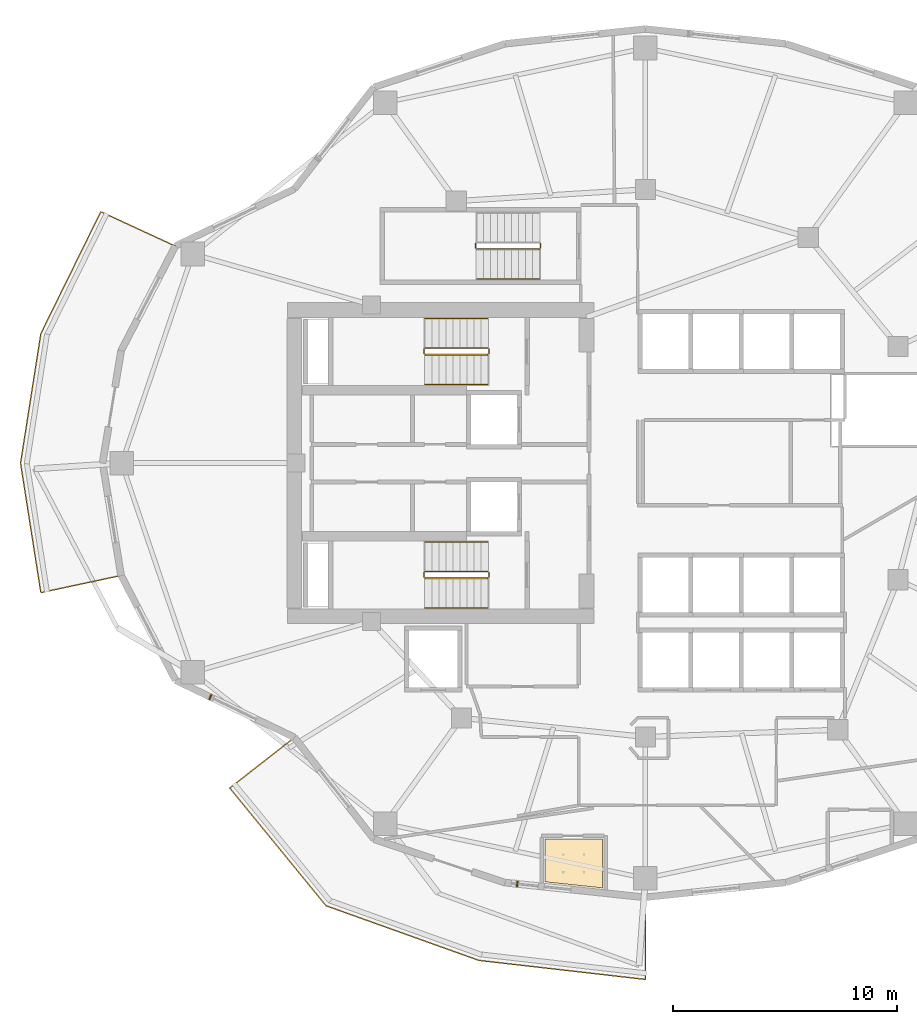
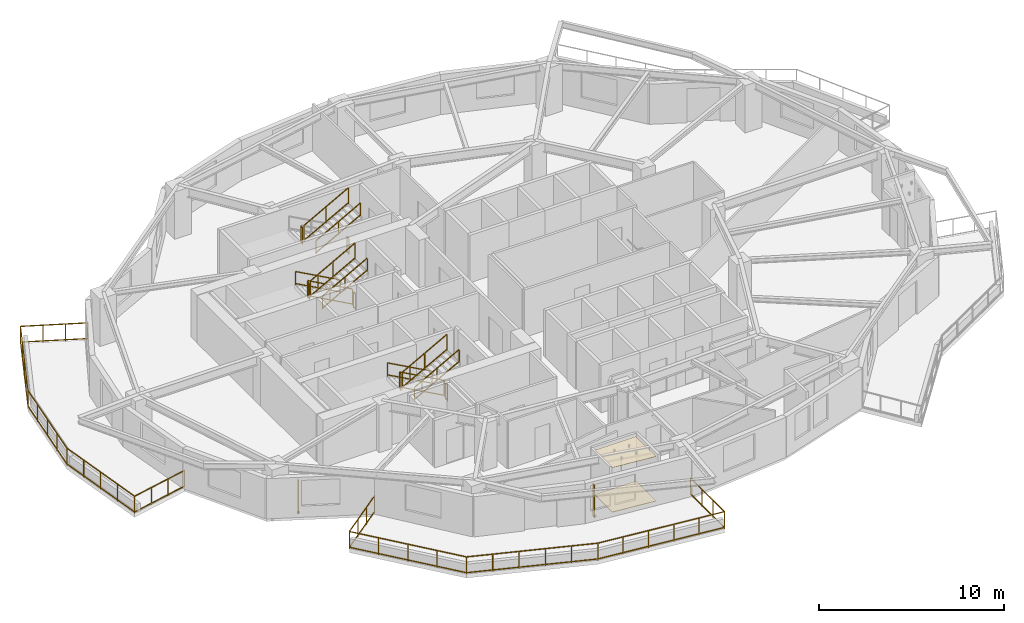
# One storey, part 11 of 14: 18 railings, 2 coverings, 2 shading devices.
"""IFC4 building model written with IfcOpenShell, lengths in metres."""

from ifc_helpers import new_model, si_unit, direction, frame, origin, origin_2d, place, context, subcontext, project, spatial, polyline, rectangle, outline, extrude, material, layer, layer_set, type_object, element, save


model = new_model("IFC4")

# Units and contexts
model_context = context("Model", 3, precision=1e-05, world=origin(), true_north=direction((0.0, 1.0)))
body_context = subcontext(model_context, "Body", "Model", "MODEL_VIEW")
ifc_project = project(units=[si_unit("LENGTHUNIT", "METRE"), si_unit("AREAUNIT", "SQUARE_METRE"), si_unit("VOLUMEUNIT", "CUBIC_METRE"), si_unit("PLANEANGLEUNIT", "RADIAN"), si_unit("MASSUNIT", "GRAM", prefix="KILO")], contexts=[model_context])

# Site, building, storey
site_placement = place(None, origin())
site = spatial("IfcSite", under=ifc_project, at=site_placement, CompositionType="ELEMENT")
building_placement = place(site_placement, origin())
building = spatial("IfcBuilding", under=site, at=building_placement, Name="Kolvaren Gate Tower and Convention Centre", CompositionType="ELEMENT")
storey_placement = place(building_placement, frame((0.0, 0.0, 105.300048828125)))
storey = spatial("IfcBuildingStorey", under=building, at=storey_placement, Name="L25", CompositionType="ELEMENT", Elevation=105.300048828125)

# Coverings
ifc_material_1 = material(Name="Perforated Mineral-Fibre Acoustic Ceiling Tile 18 mm", Category="gypsum")
ifc_layer_1 = layer(ifc_material_1, 0.01806640625)
ifc_layer_set_1 = layer_set([ifc_layer_1], Name="Perforated Mineral-Fibre Acoustic Ceiling Tile 18 mm")
covering_type_1 = type_object("IfcCoveringType", Name="ARCH-COV-CEIL-18", PredefinedType="CEILING", material=ifc_layer_set_1)
covering_1_placement = place(storey_placement, frame((0.0, 0.0, 2.949951171875)))
element("IfcCovering", 1, at=covering_1_placement, inside=storey, type_object=covering_type_1, Name="En-suite Bathroom (HTL-L25-01) Acoustic Suspended Ceiling", PredefinedType="CEILING", context=body_context, shape_type="SweptSolid", body=[
    extrude(outline(polyline([(25.639892578125, 10.260009765625), (28.2099609375, 10.260009765625), (28.2099609375, 8.072998046875), (25.639892578125, 8.343994140625), (25.639892578125, 10.260009765625)])), origin(), (0.0, 0.0, 1.0), 0.01806640625),
])
ifc_material_2 = material(Name="Honed Sabana Limestone Terrazzo Flooring 30 mm", Category="masonry")
ifc_layer_2 = layer(ifc_material_2, 0.030029296875)
ifc_layer_set_2 = layer_set([ifc_layer_2], Name="Honed Sabana Limestone Terrazzo Flooring 30 mm")
covering_type_2 = type_object("IfcCoveringType", Name="ARCH-COV-FLR-30", PredefinedType="FLOORING", material=ifc_layer_set_2)
covering_2_placement = place(storey_placement, origin())
element("IfcCovering", 2, at=covering_2_placement, inside=storey, type_object=covering_type_2, Name="En-suite Bathroom (HTL-L25-01) Interior Finish Flooring", PredefinedType="FLOORING", context=body_context, shape_type="SweptSolid", body=[
    extrude(outline(polyline([(25.639892578125, 10.260009765625), (28.2099609375, 10.260009765625), (28.2099609375, 8.072998046875), (25.639892578125, 8.343994140625), (25.639892578125, 10.260009765625)])), origin(), (0.0, 0.0, 1.0), 0.030029296875),
])

# Railings
ifc_material_3 = material(Name="Brushed Stainless Steel Grade 316L", Category="steel")
railing_type_1 = type_object("IfcRailingType", Name="ARCH-RL-GUARD-1150", PredefinedType="GUARDRAIL", material=ifc_material_3)
railing_1_placement = place(storey_placement, frame((23.10009765625, 32.1298828125, 0.169921875)))
element("IfcRailing", 3, at=railing_1_placement, inside=storey, type_object=railing_type_1, Name="L25 ST-T1 stair guard 1", PredefinedType="GUARDRAIL", context=body_context, shape_type="SweptSolid", body=[
    extrude(rectangle(XDim=0.048095703125, YDim=0.048095703125, at=origin_2d()), frame((0.0, 0.0, 1.076171875), z_axis=(-0.876811365212, 0.0, 0.480834513982), x_axis=(0.0, -1.0, 0.0)), (0.0, 0.0, 1.0), 3.18212890625),
    extrude(rectangle(XDim=0.048095703125, YDim=0.048095703125, at=origin_2d()), frame((0.0, 0.0, 0.083984375), z_axis=(-0.876811365212, 0.0, 0.480834513982), x_axis=(0.0, -1.0, 0.0)), (0.0, 0.0, 1.0), 3.18212890625),
    extrude(rectangle(XDim=0.0419921875, YDim=0.0419921875, at=origin_2d()), origin(), (0.0, 0.0, 1.0), 1.050048828125),
    extrude(rectangle(XDim=0.0419921875, YDim=0.0419921875, at=origin_2d()), frame((-2.7900390625, 0.0, 1.530029296875)), (0.0, 0.0, 1.0), 1.050048828125),
    extrude(rectangle(XDim=0.0419921875, YDim=0.0419921875, at=origin_2d()), frame((-1.39501953125, 0.0, 0.76513671875)), (0.0, 0.0, 1.0), 1.050048828125),
])
railing_2_placement = place(storey_placement, frame((20.260009765625, 32.080078125, 1.699951171875)))
element("IfcRailing", 4, at=railing_2_placement, inside=storey, type_object=railing_type_1, Name="L25 ST-T1 stair guard 2", PredefinedType="GUARDRAIL", context=body_context, shape_type="SweptSolid", body=[
    extrude(rectangle(XDim=0.048095703125, YDim=0.048095703125, at=origin_2d()), frame((0.0, 0.0, 1.076171875), z_axis=(0.0, -1.0, 0.0), x_axis=(1.0, 0.0, 0.0)), (0.0, 0.0, 1.0), 0.2001953125),
    extrude(rectangle(XDim=0.048095703125, YDim=0.048095703125, at=origin_2d()), frame((0.0, 0.0, 0.083984375), z_axis=(0.0, -1.0, 0.0), x_axis=(1.0, 0.0, 0.0)), (0.0, 0.0, 1.0), 0.2001953125),
    extrude(rectangle(XDim=0.0419921875, YDim=0.0419921875, at=origin_2d()), origin(), (0.0, 0.0, 1.0), 1.050048828125),
    extrude(rectangle(XDim=0.0419921875, YDim=0.0419921875, at=origin_2d()), frame((0.0, -0.2001953125, 0.0)), (0.0, 0.0, 1.0), 1.050048828125),
])
railing_3_placement = place(storey_placement, frame((20.31005859375, 31.830078125, 1.869873046875)))
element("IfcRailing", 5, at=railing_3_placement, inside=storey, type_object=railing_type_1, Name="L25 ST-T1 stair guard 3", PredefinedType="GUARDRAIL", context=body_context, shape_type="SweptSolid", body=[
    extrude(rectangle(XDim=0.048095703125, YDim=0.048095703125, at=origin_2d()), frame((0.0, 0.0, 1.076171875), z_axis=(0.876811365212, 0.0, 0.480834513982), x_axis=(0.0, 1.0, 0.0)), (0.0, 0.0, 1.0), 3.18212890625),
    extrude(rectangle(XDim=0.048095703125, YDim=0.048095703125, at=origin_2d()), frame((0.0, 0.0, 0.083984375), z_axis=(0.876811365212, 0.0, 0.480834513982), x_axis=(0.0, 1.0, 0.0)), (0.0, 0.0, 1.0), 3.18212890625),
    extrude(rectangle(XDim=0.0419921875, YDim=0.0419921875, at=origin_2d()), origin(), (0.0, 0.0, 1.0), 1.050048828125),
    extrude(rectangle(XDim=0.0419921875, YDim=0.0419921875, at=origin_2d()), frame((2.7900390625, 0.0, 1.530029296875)), (0.0, 0.0, 1.0), 1.050048828125),
    extrude(rectangle(XDim=0.0419921875, YDim=0.0419921875, at=origin_2d()), frame((1.39501953125, 0.0, 0.76513671875)), (0.0, 0.0, 1.0), 1.050048828125),
])
railing_4_placement = place(storey_placement, frame((23.14990234375, 32.080078125, 0.0)))
element("IfcRailing", 6, at=railing_4_placement, inside=storey, type_object=railing_type_1, Name="L25 ST-T1 stair guard 4", PredefinedType="GUARDRAIL", context=body_context, shape_type="SweptSolid", body=[
    extrude(rectangle(XDim=0.048095703125, YDim=0.048095703125, at=origin_2d()), frame((0.0, 0.0, 1.076171875), z_axis=(0.0, -1.0, 0.0), x_axis=(1.0, 0.0, 0.0)), (0.0, 0.0, 1.0), 0.2001953125),
    extrude(rectangle(XDim=0.048095703125, YDim=0.048095703125, at=origin_2d()), frame((0.0, 0.0, 0.083984375), z_axis=(0.0, -1.0, 0.0), x_axis=(1.0, 0.0, 0.0)), (0.0, 0.0, 1.0), 0.2001953125),
    extrude(rectangle(XDim=0.0419921875, YDim=0.0419921875, at=origin_2d()), origin(), (0.0, 0.0, 1.0), 1.050048828125),
    extrude(rectangle(XDim=0.0419921875, YDim=0.0419921875, at=origin_2d()), frame((0.0, -0.2001953125, 0.0)), (0.0, 0.0, 1.0), 1.050048828125),
])
railing_5_placement = place(storey_placement, frame((23.10009765625, 22.169921875, 0.169921875)))
element("IfcRailing", 7, at=railing_5_placement, inside=storey, type_object=railing_type_1, Name="L25 ST-T2 stair guard 1", PredefinedType="GUARDRAIL", context=body_context, shape_type="SweptSolid", body=[
    extrude(rectangle(XDim=0.048095703125, YDim=0.048095703125, at=origin_2d()), frame((0.0, 0.0, 1.076171875), z_axis=(-0.876811365212, 0.0, 0.480834513982), x_axis=(0.0, -1.0, 0.0)), (0.0, 0.0, 1.0), 3.18212890625),
    extrude(rectangle(XDim=0.048095703125, YDim=0.048095703125, at=origin_2d()), frame((0.0, 0.0, 0.083984375), z_axis=(-0.876811365212, 0.0, 0.480834513982), x_axis=(0.0, -1.0, 0.0)), (0.0, 0.0, 1.0), 3.18212890625),
    extrude(rectangle(XDim=0.0419921875, YDim=0.0419921875, at=origin_2d()), origin(), (0.0, 0.0, 1.0), 1.050048828125),
    extrude(rectangle(XDim=0.0419921875, YDim=0.0419921875, at=origin_2d()), frame((-2.7900390625, 0.0, 1.530029296875)), (0.0, 0.0, 1.0), 1.050048828125),
    extrude(rectangle(XDim=0.0419921875, YDim=0.0419921875, at=origin_2d()), frame((-1.39501953125, 0.0, 0.76513671875)), (0.0, 0.0, 1.0), 1.050048828125),
])
railing_6_placement = place(storey_placement, frame((20.260009765625, 22.1201171875, 1.699951171875)))
element("IfcRailing", 8, at=railing_6_placement, inside=storey, type_object=railing_type_1, Name="L25 ST-T2 stair guard 2", PredefinedType="GUARDRAIL", context=body_context, shape_type="SweptSolid", body=[
    extrude(rectangle(XDim=0.048095703125, YDim=0.048095703125, at=origin_2d()), frame((0.0, 0.0, 1.076171875), z_axis=(0.0, -1.0, 0.0), x_axis=(1.0, 0.0, 0.0)), (0.0, 0.0, 1.0), 0.2001953125),
    extrude(rectangle(XDim=0.048095703125, YDim=0.048095703125, at=origin_2d()), frame((0.0, 0.0, 0.083984375), z_axis=(0.0, -1.0, 0.0), x_axis=(1.0, 0.0, 0.0)), (0.0, 0.0, 1.0), 0.2001953125),
    extrude(rectangle(XDim=0.0419921875, YDim=0.0419921875, at=origin_2d()), origin(), (0.0, 0.0, 1.0), 1.050048828125),
    extrude(rectangle(XDim=0.0419921875, YDim=0.0419921875, at=origin_2d()), frame((0.0, -0.2001953125, 0.0)), (0.0, 0.0, 1.0), 1.050048828125),
])
railing_7_placement = place(storey_placement, frame((20.31005859375, 21.8701171875, 1.869873046875)))
element("IfcRailing", 9, at=railing_7_placement, inside=storey, type_object=railing_type_1, Name="L25 ST-T2 stair guard 3", PredefinedType="GUARDRAIL", context=body_context, shape_type="SweptSolid", body=[
    extrude(rectangle(XDim=0.048095703125, YDim=0.048095703125, at=origin_2d()), frame((0.0, 0.0, 1.076171875), z_axis=(0.876811365212, 0.0, 0.480834513982), x_axis=(0.0, 1.0, 0.0)), (0.0, 0.0, 1.0), 3.18212890625),
    extrude(rectangle(XDim=0.048095703125, YDim=0.048095703125, at=origin_2d()), frame((0.0, 0.0, 0.083984375), z_axis=(0.876811365212, 0.0, 0.480834513982), x_axis=(0.0, 1.0, 0.0)), (0.0, 0.0, 1.0), 3.18212890625),
    extrude(rectangle(XDim=0.0419921875, YDim=0.0419921875, at=origin_2d()), origin(), (0.0, 0.0, 1.0), 1.050048828125),
    extrude(rectangle(XDim=0.0419921875, YDim=0.0419921875, at=origin_2d()), frame((2.7900390625, 0.0, 1.530029296875)), (0.0, 0.0, 1.0), 1.050048828125),
    extrude(rectangle(XDim=0.0419921875, YDim=0.0419921875, at=origin_2d()), frame((1.39501953125, 0.0, 0.76513671875)), (0.0, 0.0, 1.0), 1.050048828125),
])
railing_8_placement = place(storey_placement, frame((23.14990234375, 22.1201171875, 0.0)))
element("IfcRailing", 10, at=railing_8_placement, inside=storey, type_object=railing_type_1, Name="L25 ST-T2 stair guard 4", PredefinedType="GUARDRAIL", context=body_context, shape_type="SweptSolid", body=[
    extrude(rectangle(XDim=0.048095703125, YDim=0.048095703125, at=origin_2d()), frame((0.0, 0.0, 1.076171875), z_axis=(0.0, -1.0, 0.0), x_axis=(1.0, 0.0, 0.0)), (0.0, 0.0, 1.0), 0.2001953125),
    extrude(rectangle(XDim=0.048095703125, YDim=0.048095703125, at=origin_2d()), frame((0.0, 0.0, 0.083984375), z_axis=(0.0, -1.0, 0.0), x_axis=(1.0, 0.0, 0.0)), (0.0, 0.0, 1.0), 0.2001953125),
    extrude(rectangle(XDim=0.0419921875, YDim=0.0419921875, at=origin_2d()), origin(), (0.0, 0.0, 1.0), 1.050048828125),
    extrude(rectangle(XDim=0.0419921875, YDim=0.0419921875, at=origin_2d()), frame((0.0, -0.2001953125, 0.0)), (0.0, 0.0, 1.0), 1.050048828125),
])
railing_9_placement = place(storey_placement, frame((22.56005859375, 36.780029296875, 1.699951171875)))
element("IfcRailing", 11, at=railing_9_placement, inside=storey, type_object=railing_type_1, Name="L25 ST-T3 stair guard 2", PredefinedType="GUARDRAIL", context=body_context, shape_type="SweptSolid", body=[
    extrude(rectangle(XDim=0.048095703125, YDim=0.048095703125, at=origin_2d()), frame((0.0, 0.0, 1.076171875), z_axis=(0.0, -1.0, 0.0), x_axis=(1.0, 0.0, 0.0)), (0.0, 0.0, 1.0), 0.199951171875),
    extrude(rectangle(XDim=0.048095703125, YDim=0.048095703125, at=origin_2d()), frame((0.0, 0.0, 0.083984375), z_axis=(0.0, -1.0, 0.0), x_axis=(1.0, 0.0, 0.0)), (0.0, 0.0, 1.0), 0.199951171875),
    extrude(rectangle(XDim=0.0419921875, YDim=0.0419921875, at=origin_2d()), origin(), (0.0, 0.0, 1.0), 1.050048828125),
    extrude(rectangle(XDim=0.0419921875, YDim=0.0419921875, at=origin_2d()), frame((0.0, -0.199951171875, 0.0)), (0.0, 0.0, 1.0), 1.050048828125),
])
railing_10_placement = place(storey_placement, frame((22.610107421875, 36.530029296875, 1.869873046875)))
element("IfcRailing", 12, at=railing_10_placement, inside=storey, type_object=railing_type_1, Name="L25 ST-T3 stair guard 3", PredefinedType="GUARDRAIL", context=body_context, shape_type="SweptSolid", body=[
    extrude(rectangle(XDim=0.048095703125, YDim=0.048095703125, at=origin_2d()), frame((0.0, 0.0, 1.076171875), z_axis=(0.8767936245, 0.0, 0.480866863109), x_axis=(0.0, 1.0, 0.0)), (0.0, 0.0, 1.0), 3.181884765625),
    extrude(rectangle(XDim=0.048095703125, YDim=0.048095703125, at=origin_2d()), frame((0.0, 0.0, 0.083984375), z_axis=(0.8767936245, 0.0, 0.480866863109), x_axis=(0.0, 1.0, 0.0)), (0.0, 0.0, 1.0), 3.181884765625),
    extrude(rectangle(XDim=0.0419921875, YDim=0.0419921875, at=origin_2d()), origin(), (0.0, 0.0, 1.0), 1.050048828125),
    extrude(rectangle(XDim=0.0419921875, YDim=0.0419921875, at=origin_2d()), frame((2.789794921875, 0.0, 1.530029296875)), (0.0, 0.0, 1.0), 1.050048828125),
    extrude(rectangle(XDim=0.0419921875, YDim=0.0419921875, at=origin_2d()), frame((1.39501953125, 0.0, 0.76513671875)), (0.0, 0.0, 1.0), 1.050048828125),
])
railing_11_placement = place(storey_placement, frame((25.449951171875, 36.780029296875, 0.0)))
element("IfcRailing", 13, at=railing_11_placement, inside=storey, type_object=railing_type_1, Name="L25 ST-T3 stair guard 4", PredefinedType="GUARDRAIL", context=body_context, shape_type="SweptSolid", body=[
    extrude(rectangle(XDim=0.048095703125, YDim=0.048095703125, at=origin_2d()), frame((0.0, 0.0, 1.076171875), z_axis=(0.0, -1.0, 0.0), x_axis=(1.0, 0.0, 0.0)), (0.0, 0.0, 1.0), 0.199951171875),
    extrude(rectangle(XDim=0.048095703125, YDim=0.048095703125, at=origin_2d()), frame((0.0, 0.0, 0.083984375), z_axis=(0.0, -1.0, 0.0), x_axis=(1.0, 0.0, 0.0)), (0.0, 0.0, 1.0), 0.199951171875),
    extrude(rectangle(XDim=0.0419921875, YDim=0.0419921875, at=origin_2d()), origin(), (0.0, 0.0, 1.0), 1.050048828125),
    extrude(rectangle(XDim=0.0419921875, YDim=0.0419921875, at=origin_2d()), frame((0.0, -0.199951171875, 0.0)), (0.0, 0.0, 1.0), 1.050048828125),
])
railing_12_placement = place(storey_placement, frame((9.177978515625, 36.675048828125, 0.0)))
element("IfcRailing", 14, at=railing_12_placement, inside=storey, type_object=railing_type_1, Name="Tower L25 Terrace Perimeter Guardrail GR-2", PredefinedType="GUARDRAIL", context=body_context, shape_type="SweptSolid", body=[
    extrude(rectangle(XDim=0.048095703125, YDim=0.048095703125, at=origin_2d()), frame((-0.025390625, 0.01171875, 1.1259765625), z_axis=(-0.907846116663, 0.419303503993, 0.0), x_axis=(-0.419303503993, -0.907846116663, 0.0)), (0.0, 0.0, 1.0), 3.60400390625),
    extrude(rectangle(XDim=0.048095703125, YDim=0.048095703125, at=origin_2d()), frame((-0.025390625, 0.01171875, 0.083984375), z_axis=(-0.907846116663, 0.419303503993, 0.0), x_axis=(-0.419303503993, -0.907846116663, 0.0)), (0.0, 0.0, 1.0), 3.60400390625),
    extrude(rectangle(XDim=0.048095703125, YDim=0.048095703125, at=origin_2d()), frame((-3.335205078125, 1.509521484375, 1.1259765625), z_axis=(-0.441237167293, -0.897390529368, 0.0), x_axis=(0.897390529368, -0.441237167293, 0.0)), (0.0, 0.0, 1.0), 5.999755859375),
    extrude(rectangle(XDim=0.048095703125, YDim=0.048095703125, at=origin_2d()), frame((-3.335205078125, 1.509521484375, 0.083984375), z_axis=(-0.441237167293, -0.897390529368, 0.0), x_axis=(0.897390529368, -0.441237167293, 0.0)), (0.0, 0.0, 1.0), 5.999755859375),
    extrude(rectangle(XDim=0.048095703125, YDim=0.048095703125, at=origin_2d()), frame((-5.999267578125, -3.927490234375, 1.1259765625), z_axis=(-0.154903030247, -0.987929679289, 0.0), x_axis=(0.987929679289, -0.154903030247, 0.0)), (0.0, 0.0, 1.0), 5.78955078125),
    extrude(rectangle(XDim=0.048095703125, YDim=0.048095703125, at=origin_2d()), frame((-5.999267578125, -3.927490234375, 0.083984375), z_axis=(-0.154903030247, -0.987929679289, 0.0), x_axis=(0.987929679289, -0.154903030247, 0.0)), (0.0, 0.0, 1.0), 5.78955078125),
    extrude(rectangle(XDim=0.048095703125, YDim=0.048095703125, at=origin_2d()), frame((-6.89599609375, -9.70263671875, 1.1259765625), z_axis=(0.154903030247, -0.987929679289, 0.0), x_axis=(0.987929679289, 0.154903030247, 0.0)), (0.0, 0.0, 1.0), 5.78955078125),
    extrude(rectangle(XDim=0.048095703125, YDim=0.048095703125, at=origin_2d()), frame((-6.89599609375, -9.70263671875, 0.083984375), z_axis=(0.154903030247, -0.987929679289, 0.0), x_axis=(0.987929679289, 0.154903030247, 0.0)), (0.0, 0.0, 1.0), 5.78955078125),
    extrude(rectangle(XDim=0.048095703125, YDim=0.048095703125, at=origin_2d()), frame((-5.967529296875, -15.4443359375, 1.1259765625), z_axis=(0.977788745232, 0.209592866525, 0.0), x_axis=(-0.209592866525, 0.977788745232, 0.0)), (0.0, 0.0, 1.0), 3.603759765625),
    extrude(rectangle(XDim=0.048095703125, YDim=0.048095703125, at=origin_2d()), frame((-5.967529296875, -15.4443359375, 0.083984375), z_axis=(0.977788745232, 0.209592866525, 0.0), x_axis=(-0.209592866525, 0.977788745232, 0.0)), (0.0, 0.0, 1.0), 3.603759765625),
    extrude(rectangle(XDim=0.0419921875, YDim=0.0419921875, at=origin_2d()), origin(), (0.0, 0.0, 1.0), 1.14990234375),
    extrude(rectangle(XDim=0.0419921875, YDim=0.0419921875, at=origin_2d()), frame((-3.32275390625, 1.53466796875, 0.0)), (0.0, 0.0, 1.0), 1.14990234375),
    extrude(rectangle(XDim=0.0419921875, YDim=0.0419921875, at=origin_2d()), frame((-1.107666015625, 0.511474609375, 0.0)), (0.0, 0.0, 1.0), 1.099853515625),
    extrude(rectangle(XDim=0.0419921875, YDim=0.0419921875, at=origin_2d()), frame((-2.215087890625, 1.023193359375, 0.0)), (0.0, 0.0, 1.0), 1.099853515625),
    extrude(rectangle(XDim=0.0419921875, YDim=0.0419921875, at=origin_2d()), frame((-5.994873046875, -3.89990234375, 0.0)), (0.0, 0.0, 1.0), 1.14990234375),
    extrude(rectangle(XDim=0.0419921875, YDim=0.0419921875, at=origin_2d()), frame((-3.99072265625, 0.176025390625, 0.0)), (0.0, 0.0, 1.0), 1.099853515625),
    extrude(rectangle(XDim=0.0419921875, YDim=0.0419921875, at=origin_2d()), frame((-4.65869140625, -1.1826171875, 0.0)), (0.0, 0.0, 1.0), 1.099853515625),
    extrude(rectangle(XDim=0.0419921875, YDim=0.0419921875, at=origin_2d()), frame((-5.326904296875, -2.541259765625, 0.0)), (0.0, 0.0, 1.0), 1.099853515625),
    extrude(rectangle(XDim=0.0419921875, YDim=0.0419921875, at=origin_2d()), frame((-6.900390625, -9.675048828125, 0.0)), (0.0, 0.0, 1.0), 1.14990234375),
    extrude(rectangle(XDim=0.0419921875, YDim=0.0419921875, at=origin_2d()), frame((-6.22119140625, -5.34375, 0.0)), (0.0, 0.0, 1.0), 1.099853515625),
    extrude(rectangle(XDim=0.0419921875, YDim=0.0419921875, at=origin_2d()), frame((-6.44775390625, -6.78759765625, 0.0)), (0.0, 0.0, 1.0), 1.099853515625),
    extrude(rectangle(XDim=0.0419921875, YDim=0.0419921875, at=origin_2d()), frame((-6.674072265625, -8.231201171875, 0.0)), (0.0, 0.0, 1.0), 1.099853515625),
    extrude(rectangle(XDim=0.0419921875, YDim=0.0419921875, at=origin_2d()), frame((-5.994873046875, -15.4501953125, 0.0)), (0.0, 0.0, 1.0), 1.14990234375),
    extrude(rectangle(XDim=0.0419921875, YDim=0.0419921875, at=origin_2d()), frame((-6.674072265625, -11.118896484375, 0.0)), (0.0, 0.0, 1.0), 1.099853515625),
    extrude(rectangle(XDim=0.0419921875, YDim=0.0419921875, at=origin_2d()), frame((-6.44775390625, -12.5625, 0.0)), (0.0, 0.0, 1.0), 1.099853515625),
    extrude(rectangle(XDim=0.0419921875, YDim=0.0419921875, at=origin_2d()), frame((-6.22119140625, -14.00634765625, 0.0)), (0.0, 0.0, 1.0), 1.099853515625),
    extrude(rectangle(XDim=0.0419921875, YDim=0.0419921875, at=origin_2d()), frame((-2.416259765625, -14.68310546875, 0.0)), (0.0, 0.0, 1.0), 1.14990234375),
    extrude(rectangle(XDim=0.0419921875, YDim=0.0419921875, at=origin_2d()), frame((-4.802001953125, -15.194580078125, 0.0)), (0.0, 0.0, 1.0), 1.099853515625),
    extrude(rectangle(XDim=0.0419921875, YDim=0.0419921875, at=origin_2d()), frame((-3.609130859375, -14.938720703125, 0.0)), (0.0, 0.0, 1.0), 1.099853515625),
])
railing_13_placement = place(storey_placement, frame((14.481201171875, 14.777099609375, 0.0)))
element("IfcRailing", 15, at=railing_13_placement, inside=storey, type_object=railing_type_1, Name="Tower L25 Terrace Perimeter Guardrail GR-3", PredefinedType="GUARDRAIL", context=body_context, shape_type="SweptSolid", body=[
    extrude(rectangle(XDim=0.048095703125, YDim=0.048095703125, at=origin_2d()), frame((-0.022216796875, -0.017333984375, 1.1259765625), z_axis=(-0.787963688807, -0.615721710776, 0.0), x_axis=(0.615721710776, -0.787963688807, 0.0)), (0.0, 0.0, 1.0), 3.603759765625),
    extrude(rectangle(XDim=0.048095703125, YDim=0.048095703125, at=origin_2d()), frame((-0.022216796875, -0.017333984375, 0.083984375), z_axis=(-0.787963688807, -0.615721710776, 0.0), x_axis=(0.615721710776, -0.787963688807, 0.0)), (0.0, 0.0, 1.0), 3.603759765625),
    extrude(rectangle(XDim=0.048095703125, YDim=0.048095703125, at=origin_2d()), frame((-2.865966796875, -2.275146484375, 1.1259765625), z_axis=(0.633002467947, -0.77414977593, 0.0), x_axis=(0.77414977593, 0.633002467947, 0.0)), (0.0, 0.0, 1.0), 6.724365234375),
    extrude(rectangle(XDim=0.048095703125, YDim=0.048095703125, at=origin_2d()), frame((-2.865966796875, -2.275146484375, 0.083984375), z_axis=(0.633002467947, -0.77414977593, 0.0), x_axis=(0.77414977593, 0.633002467947, 0.0)), (0.0, 0.0, 1.0), 6.724365234375),
    extrude(rectangle(XDim=0.048095703125, YDim=0.048095703125, at=origin_2d()), frame((1.4345703125, -7.511962890625, 1.1259765625), z_axis=(0.941628873241, -0.336652736627, 0.0), x_axis=(0.336652736627, 0.941628873241, 0.0)), (0.0, 0.0, 1.0), 7.17919921875),
    extrude(rectangle(XDim=0.048095703125, YDim=0.048095703125, at=origin_2d()), frame((1.4345703125, -7.511962890625, 0.083984375), z_axis=(0.941628873241, -0.336652736627, 0.0), x_axis=(0.336652736627, 0.941628873241, 0.0)), (0.0, 0.0, 1.0), 7.17919921875),
    extrude(rectangle(XDim=0.048095703125, YDim=0.048095703125, at=origin_2d()), frame((8.2490234375, -9.94140625, 1.1259765625), z_axis=(0.993523927361, -0.113623086387, 0.0), x_axis=(0.113623086387, 0.993523927361, 0.0)), (0.0, 0.0, 1.0), 7.414794921875),
    extrude(rectangle(XDim=0.048095703125, YDim=0.048095703125, at=origin_2d()), frame((8.2490234375, -9.94140625, 0.083984375), z_axis=(0.993523927361, -0.113623086387, 0.0), x_axis=(0.113623086387, 0.993523927361, 0.0)), (0.0, 0.0, 1.0), 7.414794921875),
    extrude(rectangle(XDim=0.048095703125, YDim=0.048095703125, at=origin_2d()), frame((15.643798828125, -10.759033203125, 1.1259765625), z_axis=(0.0, 1.0, 0.0), x_axis=(-1.0, 0.0, 0.0)), (0.0, 0.0, 1.0), 3.603759765625),
    extrude(rectangle(XDim=0.048095703125, YDim=0.048095703125, at=origin_2d()), frame((15.643798828125, -10.759033203125, 0.083984375), z_axis=(0.0, 1.0, 0.0), x_axis=(-1.0, 0.0, 0.0)), (0.0, 0.0, 1.0), 3.603759765625),
    extrude(rectangle(XDim=0.0419921875, YDim=0.0419921875, at=origin_2d()), origin(), (0.0, 0.0, 1.0), 1.14990234375),
    extrude(rectangle(XDim=0.0419921875, YDim=0.0419921875, at=origin_2d()), frame((-2.8837890625, -2.25341796875, 0.0)), (0.0, 0.0, 1.0), 1.14990234375),
    extrude(rectangle(XDim=0.0419921875, YDim=0.0419921875, at=origin_2d()), frame((-0.961181640625, -0.751220703125, 0.0)), (0.0, 0.0, 1.0), 1.099853515625),
    extrude(rectangle(XDim=0.0419921875, YDim=0.0419921875, at=origin_2d()), frame((-1.922607421875, -1.502197265625, 0.0)), (0.0, 0.0, 1.0), 1.099853515625),
    extrude(rectangle(XDim=0.0419921875, YDim=0.0419921875, at=origin_2d()), frame((1.408203125, -7.50244140625, 0.0)), (0.0, 0.0, 1.0), 1.14990234375),
    extrude(rectangle(XDim=0.0419921875, YDim=0.0419921875, at=origin_2d()), frame((-1.810791015625, -3.565673828125, 0.0)), (0.0, 0.0, 1.0), 1.099853515625),
    extrude(rectangle(XDim=0.0419921875, YDim=0.0419921875, at=origin_2d()), frame((-0.73779296875, -4.8779296875, 0.0)), (0.0, 0.0, 1.0), 1.099853515625),
    extrude(rectangle(XDim=0.0419921875, YDim=0.0419921875, at=origin_2d()), frame((0.335205078125, -6.190185546875, 0.0)), (0.0, 0.0, 1.0), 1.099853515625),
    extrude(rectangle(XDim=0.0419921875, YDim=0.0419921875, at=origin_2d()), frame((8.22119140625, -9.938232421875, 0.0)), (0.0, 0.0, 1.0), 1.14990234375),
    extrude(rectangle(XDim=0.0419921875, YDim=0.0419921875, at=origin_2d()), frame((2.770751953125, -7.989501953125, 0.0)), (0.0, 0.0, 1.0), 1.099853515625),
    extrude(rectangle(XDim=0.0419921875, YDim=0.0419921875, at=origin_2d()), frame((4.13330078125, -8.476806640625, 0.0)), (0.0, 0.0, 1.0), 1.099853515625),
    extrude(rectangle(XDim=0.0419921875, YDim=0.0419921875, at=origin_2d()), frame((5.49609375, -8.9638671875, 0.0)), (0.0, 0.0, 1.0), 1.099853515625),
    extrude(rectangle(XDim=0.0419921875, YDim=0.0419921875, at=origin_2d()), frame((6.858642578125, -9.451171875, 0.0)), (0.0, 0.0, 1.0), 1.099853515625),
    extrude(rectangle(XDim=0.0419921875, YDim=0.0419921875, at=origin_2d()), frame((15.643798828125, -10.787109375, 0.0)), (0.0, 0.0, 1.0), 1.14990234375),
    extrude(rectangle(XDim=0.0419921875, YDim=0.0419921875, at=origin_2d()), frame((9.705810546875, -10.10791015625, 0.0)), (0.0, 0.0, 1.0), 1.099853515625),
    extrude(rectangle(XDim=0.0419921875, YDim=0.0419921875, at=origin_2d()), frame((11.190185546875, -10.27783203125, 0.0)), (0.0, 0.0, 1.0), 1.099853515625),
    extrude(rectangle(XDim=0.0419921875, YDim=0.0419921875, at=origin_2d()), frame((12.6748046875, -10.447509765625, 0.0)), (0.0, 0.0, 1.0), 1.099853515625),
    extrude(rectangle(XDim=0.0419921875, YDim=0.0419921875, at=origin_2d()), frame((14.1591796875, -10.617431640625, 0.0)), (0.0, 0.0, 1.0), 1.099853515625),
    extrude(rectangle(XDim=0.0419921875, YDim=0.0419921875, at=origin_2d()), frame((15.643798828125, -7.127197265625, 0.0)), (0.0, 0.0, 1.0), 1.14990234375),
    extrude(rectangle(XDim=0.0419921875, YDim=0.0419921875, at=origin_2d()), frame((15.643798828125, -9.567138671875, 0.0)), (0.0, 0.0, 1.0), 1.099853515625),
    extrude(rectangle(XDim=0.0419921875, YDim=0.0419921875, at=origin_2d()), frame((15.643798828125, -8.34716796875, 0.0)), (0.0, 0.0, 1.0), 1.099853515625),
])
railing_type_2 = type_object("IfcRailingType", Name="ARCH-RL-HANDRAIL-920", PredefinedType="HANDRAIL", material=ifc_material_3)
railing_14_placement = place(storey_placement, frame((23.10009765625, 33.449951171875, 0.169921875)))
element("IfcRailing", 16, at=railing_14_placement, inside=storey, type_object=railing_type_2, Name="L25 ST-T1 stair handrail 1", PredefinedType="HANDRAIL", context=body_context, shape_type="SweptSolid", body=[
    extrude(rectangle(XDim=0.048095703125, YDim=0.048095703125, at=origin_2d()), frame((0.0, 0.0, 0.8759765625), z_axis=(-0.876811365212, 0.0, 0.480834513982), x_axis=(0.0, -1.0, 0.0)), (0.0, 0.0, 1.0), 3.18212890625),
    extrude(rectangle(XDim=0.048095703125, YDim=0.048095703125, at=origin_2d()), frame((0.0, 0.0, 0.083984375), z_axis=(-0.876811365212, 0.0, 0.480834513982), x_axis=(0.0, -1.0, 0.0)), (0.0, 0.0, 1.0), 3.18212890625),
    extrude(rectangle(XDim=0.0419921875, YDim=0.0419921875, at=origin_2d()), origin(), (0.0, 0.0, 1.0), 0.849853515625),
    extrude(rectangle(XDim=0.0419921875, YDim=0.0419921875, at=origin_2d()), frame((-2.7900390625, 0.0, 1.530029296875)), (0.0, 0.0, 1.0), 0.849853515625),
    extrude(rectangle(XDim=0.0419921875, YDim=0.0419921875, at=origin_2d()), frame((-1.39501953125, 0.0, 0.76513671875)), (0.0, 0.0, 1.0), 0.849853515625),
])
railing_15_placement = place(storey_placement, frame((20.31005859375, 30.510009765625, 1.869873046875)))
element("IfcRailing", 17, at=railing_15_placement, inside=storey, type_object=railing_type_2, Name="L25 ST-T1 stair handrail 2", PredefinedType="HANDRAIL", context=body_context, shape_type="SweptSolid", body=[
    extrude(rectangle(XDim=0.048095703125, YDim=0.048095703125, at=origin_2d()), frame((0.0, 0.0, 0.8759765625), z_axis=(0.876811365212, 0.0, 0.480834513982), x_axis=(0.0, 1.0, 0.0)), (0.0, 0.0, 1.0), 3.18212890625),
    extrude(rectangle(XDim=0.048095703125, YDim=0.048095703125, at=origin_2d()), frame((0.0, 0.0, 0.083984375), z_axis=(0.876811365212, 0.0, 0.480834513982), x_axis=(0.0, 1.0, 0.0)), (0.0, 0.0, 1.0), 3.18212890625),
    extrude(rectangle(XDim=0.0419921875, YDim=0.0419921875, at=origin_2d()), origin(), (0.0, 0.0, 1.0), 0.849853515625),
    extrude(rectangle(XDim=0.0419921875, YDim=0.0419921875, at=origin_2d()), frame((2.7900390625, 0.0, 1.530029296875)), (0.0, 0.0, 1.0), 0.849853515625),
    extrude(rectangle(XDim=0.0419921875, YDim=0.0419921875, at=origin_2d()), frame((1.39501953125, 0.0, 0.76513671875)), (0.0, 0.0, 1.0), 0.849853515625),
])
railing_16_placement = place(storey_placement, frame((23.10009765625, 23.489990234375, 0.169921875)))
element("IfcRailing", 18, at=railing_16_placement, inside=storey, type_object=railing_type_2, Name="L25 ST-T2 stair handrail 1", PredefinedType="HANDRAIL", context=body_context, shape_type="SweptSolid", body=[
    extrude(rectangle(XDim=0.048095703125, YDim=0.048095703125, at=origin_2d()), frame((0.0, 0.0, 0.8759765625), z_axis=(-0.876811365212, 0.0, 0.480834513982), x_axis=(0.0, -1.0, 0.0)), (0.0, 0.0, 1.0), 3.18212890625),
    extrude(rectangle(XDim=0.048095703125, YDim=0.048095703125, at=origin_2d()), frame((0.0, 0.0, 0.083984375), z_axis=(-0.876811365212, 0.0, 0.480834513982), x_axis=(0.0, -1.0, 0.0)), (0.0, 0.0, 1.0), 3.18212890625),
    extrude(rectangle(XDim=0.0419921875, YDim=0.0419921875, at=origin_2d()), origin(), (0.0, 0.0, 1.0), 0.849853515625),
    extrude(rectangle(XDim=0.0419921875, YDim=0.0419921875, at=origin_2d()), frame((-2.7900390625, 0.0, 1.530029296875)), (0.0, 0.0, 1.0), 0.849853515625),
    extrude(rectangle(XDim=0.0419921875, YDim=0.0419921875, at=origin_2d()), frame((-1.39501953125, 0.0, 0.76513671875)), (0.0, 0.0, 1.0), 0.849853515625),
])
railing_17_placement = place(storey_placement, frame((20.31005859375, 20.550048828125, 1.869873046875)))
element("IfcRailing", 19, at=railing_17_placement, inside=storey, type_object=railing_type_2, Name="L25 ST-T2 stair handrail 2", PredefinedType="HANDRAIL", context=body_context, shape_type="SweptSolid", body=[
    extrude(rectangle(XDim=0.048095703125, YDim=0.048095703125, at=origin_2d()), frame((0.0, 0.0, 0.8759765625), z_axis=(0.876811365212, 0.0, 0.480834513982), x_axis=(0.0, 1.0, 0.0)), (0.0, 0.0, 1.0), 3.18212890625),
    extrude(rectangle(XDim=0.048095703125, YDim=0.048095703125, at=origin_2d()), frame((0.0, 0.0, 0.083984375), z_axis=(0.876811365212, 0.0, 0.480834513982), x_axis=(0.0, 1.0, 0.0)), (0.0, 0.0, 1.0), 3.18212890625),
    extrude(rectangle(XDim=0.0419921875, YDim=0.0419921875, at=origin_2d()), origin(), (0.0, 0.0, 1.0), 0.849853515625),
    extrude(rectangle(XDim=0.0419921875, YDim=0.0419921875, at=origin_2d()), frame((2.7900390625, 0.0, 1.530029296875)), (0.0, 0.0, 1.0), 0.849853515625),
    extrude(rectangle(XDim=0.0419921875, YDim=0.0419921875, at=origin_2d()), frame((1.39501953125, 0.0, 0.76513671875)), (0.0, 0.0, 1.0), 0.849853515625),
])
railing_18_placement = place(storey_placement, frame((22.610107421875, 35.2099609375, 1.869873046875)))
element("IfcRailing", 20, at=railing_18_placement, inside=storey, type_object=railing_type_2, Name="L25 ST-T3 stair handrail 2", PredefinedType="HANDRAIL", context=body_context, shape_type="SweptSolid", body=[
    extrude(rectangle(XDim=0.048095703125, YDim=0.048095703125, at=origin_2d()), frame((0.0, 0.0, 0.8759765625), z_axis=(0.8767936245, 0.0, 0.480866863109), x_axis=(0.0, 1.0, 0.0)), (0.0, 0.0, 1.0), 3.181884765625),
    extrude(rectangle(XDim=0.048095703125, YDim=0.048095703125, at=origin_2d()), frame((0.0, 0.0, 0.083984375), z_axis=(0.8767936245, 0.0, 0.480866863109), x_axis=(0.0, 1.0, 0.0)), (0.0, 0.0, 1.0), 3.181884765625),
    extrude(rectangle(XDim=0.0419921875, YDim=0.0419921875, at=origin_2d()), origin(), (0.0, 0.0, 1.0), 0.849853515625),
    extrude(rectangle(XDim=0.0419921875, YDim=0.0419921875, at=origin_2d()), frame((2.789794921875, 0.0, 1.530029296875)), (0.0, 0.0, 1.0), 0.849853515625),
    extrude(rectangle(XDim=0.0419921875, YDim=0.0419921875, at=origin_2d()), frame((1.39501953125, 0.0, 0.76513671875)), (0.0, 0.0, 1.0), 0.849853515625),
])

# Shading devices
ifc_material_4 = material(Name="Kiln-Fired Bogota Terracotta Ceramic Louvre Profile", Category="masonry")
shading_device_type = type_object("IfcShadingDeviceType", Name="ARCH-SHD-FIN-180", PredefinedType="JALOUSIE", material=ifc_material_4)
for number, where, z_axis, x_axis, name in (
    (21, (10.7392578125, 16.574951171875, 0.219970703125), (0.0, 0.0, 1.0), (0.901362925045, -0.433064518696, 0.0), "Ceramic Vertical Brise-Soleil Fin FN-L25-14"),
    (22, (24.411865234375, 8.251708984375, 0.219970703125), (0.0, 0.0, 1.0), (0.994499981166, -0.104736753152, 0.0), "Ceramic Vertical Brise-Soleil Fin FN-L25-17"),
):
    element("IfcShadingDevice", number, at=place(storey_placement, frame(where, z_axis=z_axis, x_axis=x_axis)), inside=storey, type_object=shading_device_type, Name=name, PredefinedType="JALOUSIE", context=body_context, shape_type="SweptSolid", body=[
        extrude(rectangle(XDim=0.06005859375, YDim=0.239990234375, at=origin_2d()), origin(), (0.0, 0.0, 1.0), 2.14990234375),
    ])

save(model, "model.ifc")
